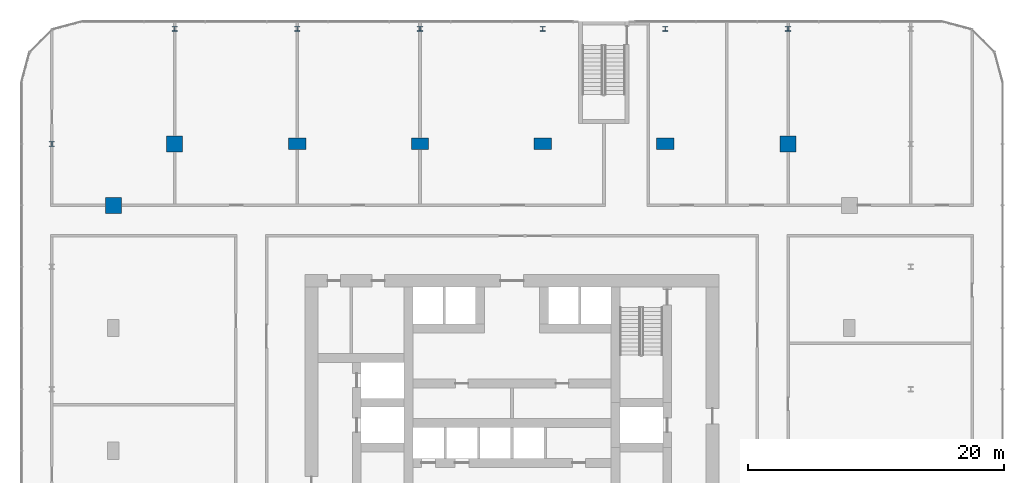
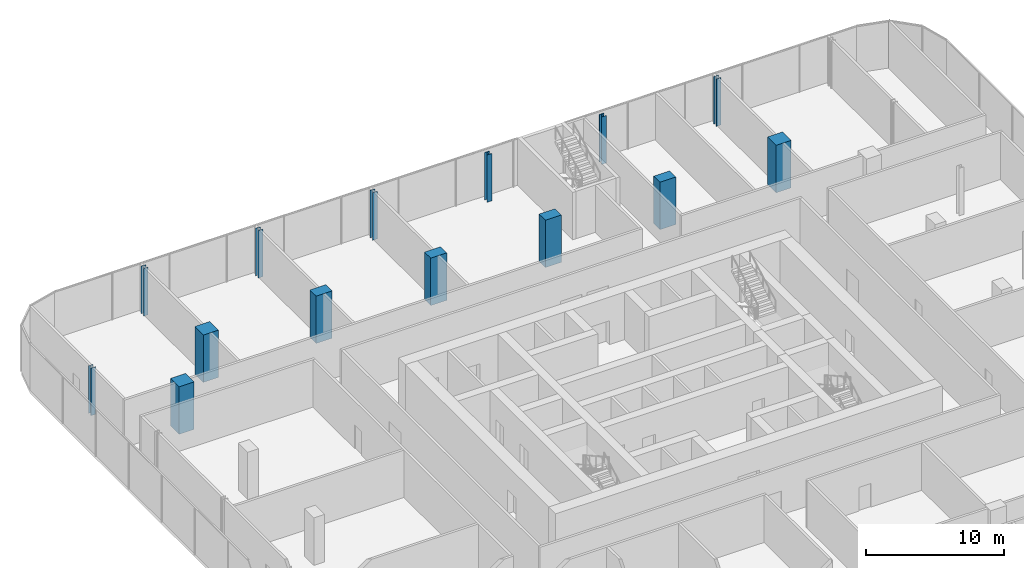
# One storey, part 4 of 38: 14 columns.
"""IFC4 building model written with IfcOpenShell, lengths in metres."""

from ifc_helpers import new_model, si_unit, direction, frame, origin, origin_2d, place, context, subcontext, project, spatial, rectangle, i_section, extrude, material, material_profile, profile_set, type_object, element, save


model = new_model("IFC4")

# Units and contexts
model_context = context("Model", 3, precision=1e-05, world=origin(), true_north=direction((0.0, 1.0)))
body_context = subcontext(model_context, "Body", "Model", "MODEL_VIEW")
ifc_project = project(units=[si_unit("LENGTHUNIT", "METRE"), si_unit("AREAUNIT", "SQUARE_METRE"), si_unit("VOLUMEUNIT", "CUBIC_METRE"), si_unit("PLANEANGLEUNIT", "RADIAN"), si_unit("MASSUNIT", "GRAM", prefix="KILO")], contexts=[model_context])

# Site, building, storey
site_placement = place(None, origin())
site = spatial("IfcSite", under=ifc_project, at=site_placement, CompositionType="ELEMENT")
building_placement = place(site_placement, origin())
building = spatial("IfcBuilding", under=site, at=building_placement, Name="Madar Terraces", CompositionType="ELEMENT")
storey_placement = place(building_placement, frame((0.0, 0.0, 15.0)))
storey = spatial("IfcBuildingStorey", under=building, at=storey_placement, Name="L03", CompositionType="ELEMENT", Elevation=15.0)

# Columns
ifc_material_1 = material(Name="Concrete C80/95", Category="concrete")
ifc_material_profile_1 = material_profile(ifc_material_1, rectangle(XDim=1.35009765625, YDim=0.89990234375, at=origin_2d()), Name="CC1 RC 1350x900")
ifc_profile_set_1 = profile_set([ifc_material_profile_1], Name="Concrete C80/95")
column_type_1 = type_object("IfcColumnType", Name="CC1 RC 1350x900", PredefinedType="COLUMN", material=ifc_profile_set_1)
for number, where, z_axis, x_axis, name in (
    (1, (43.199951171875, 48.0, 0.0), (0.0, 0.0, 1.0), (1.0, 0.0, 0.0), "Perimeter column N2"),
    (2, (33.60009765625, 48.0, 0.0), (0.0, 0.0, 1.0), (1.0, 0.0, 0.0), "Perimeter column N3"),
    (3, (24.0, 48.0, 0.0), (0.0, 0.0, 1.0), (1.0, 0.0, 0.0), "Perimeter column N4"),
    (4, (14.39990234375, 48.0, 0.0), (0.0, 0.0, 1.0), (1.0, 0.0, 0.0), "Perimeter column N5"),
):
    element("IfcColumn", number, at=place(storey_placement, frame(where, z_axis=z_axis, x_axis=x_axis)), inside=storey, type_object=column_type_1, Name=name, PredefinedType="COLUMN", context=body_context, shape_type="SweptSolid", body=[
        extrude(rectangle(XDim=1.35009765625, YDim=0.89990234375, at=origin_2d()), origin(), (0.0, 0.0, 1.0), 4.199951171875),
    ])
ifc_material_2 = material(Name="Concrete C80/95", Category="concrete")
ifc_material_profile_2 = material_profile(ifc_material_2, rectangle(XDim=1.25, YDim=1.25, at=origin_2d()), Name="KC1 RC 1250x1250")
ifc_profile_set_2 = profile_set([ifc_material_profile_2], Name="Concrete C80/95")
column_type_2 = type_object("IfcColumnType", Name="KC1 RC 1250x1250", PredefinedType="COLUMN", material=ifc_profile_set_2)
for number, where, z_axis, x_axis, name in (
    (5, (52.800048828125, 48.0, 0.0), (0.0, 0.0, 1.0), (1.0, 0.0, 0.0), "Perimeter column N1"),
    (6, (4.800048828125, 48.0, 0.0), (0.0, 0.0, 1.0), (1.0, 0.0, 0.0), "Perimeter column N6"),
    (7, (0.0, 43.199951171875, 0.0), (0.0, 0.0, 1.0), (1.0, 0.0, 0.0), "Perimeter column W1"),
):
    element("IfcColumn", number, at=place(storey_placement, frame(where, z_axis=z_axis, x_axis=x_axis)), inside=storey, type_object=column_type_2, Name=name, PredefinedType="COLUMN", context=body_context, shape_type="SweptSolid", body=[
        extrude(rectangle(XDim=1.25, YDim=1.25, at=origin_2d()), origin(), (0.0, 0.0, 1.0), 4.199951171875),
    ])
ifc_material_3 = material(Name="Steel ASTM A992 Grade 50", Category="steel")
ifc_material_profile_3 = material_profile(ifc_material_3, i_section(OverallWidth=0.396240234375, OverallDepth=0.381103515625, WebThickness=0.01904296875, FlangeThickness=0.0302734375, at=origin_2d()), Name="W14x159")
ifc_profile_set_3 = profile_set([ifc_material_profile_3], Name="Steel ASTM A992 Grade 50")
column_type_3 = type_object("IfcColumnType", Name="PC2 W14x159", PredefinedType="COLUMN", material=ifc_profile_set_3)
for number, where, z_axis, x_axis, name in (
    (8, (-4.800048828125, 48.0, 0.0), (0.0, 0.0, 1.0), (1.0, 0.0, 0.0), "Podium column PC2"),
    (9, (4.800048828125, 57.0, 0.0), (0.0, 0.0, 1.0), (1.0, 0.0, 0.0), "Podium column PC2"),
    (10, (14.39990234375, 57.0, 0.0), (0.0, 0.0, 1.0), (1.0, 0.0, 0.0), "Podium column PC2"),
    (11, (24.0, 57.0, 0.0), (0.0, 0.0, 1.0), (1.0, 0.0, 0.0), "Podium column PC2"),
    (12, (33.60009765625, 57.0, 0.0), (0.0, 0.0, 1.0), (1.0, 0.0, 0.0), "Podium column PC2"),
    (13, (43.199951171875, 57.0, 0.0), (0.0, 0.0, 1.0), (1.0, 0.0, 0.0), "Podium column PC2"),
    (14, (52.800048828125, 57.0, 0.0), (0.0, 0.0, 1.0), (1.0, 0.0, 0.0), "Podium column PC2"),
):
    element("IfcColumn", number, at=place(storey_placement, frame(where, z_axis=z_axis, x_axis=x_axis)), inside=storey, type_object=column_type_3, Name=name, PredefinedType="COLUMN", context=body_context, shape_type="SweptSolid", body=[
        extrude(i_section(OverallWidth=0.396240234375, OverallDepth=0.381103515625, WebThickness=0.01904296875, FlangeThickness=0.0302734375, at=origin_2d()), origin(), (0.0, 0.0, 1.0), 4.199951171875),
    ])

save(model, "model.ifc")
